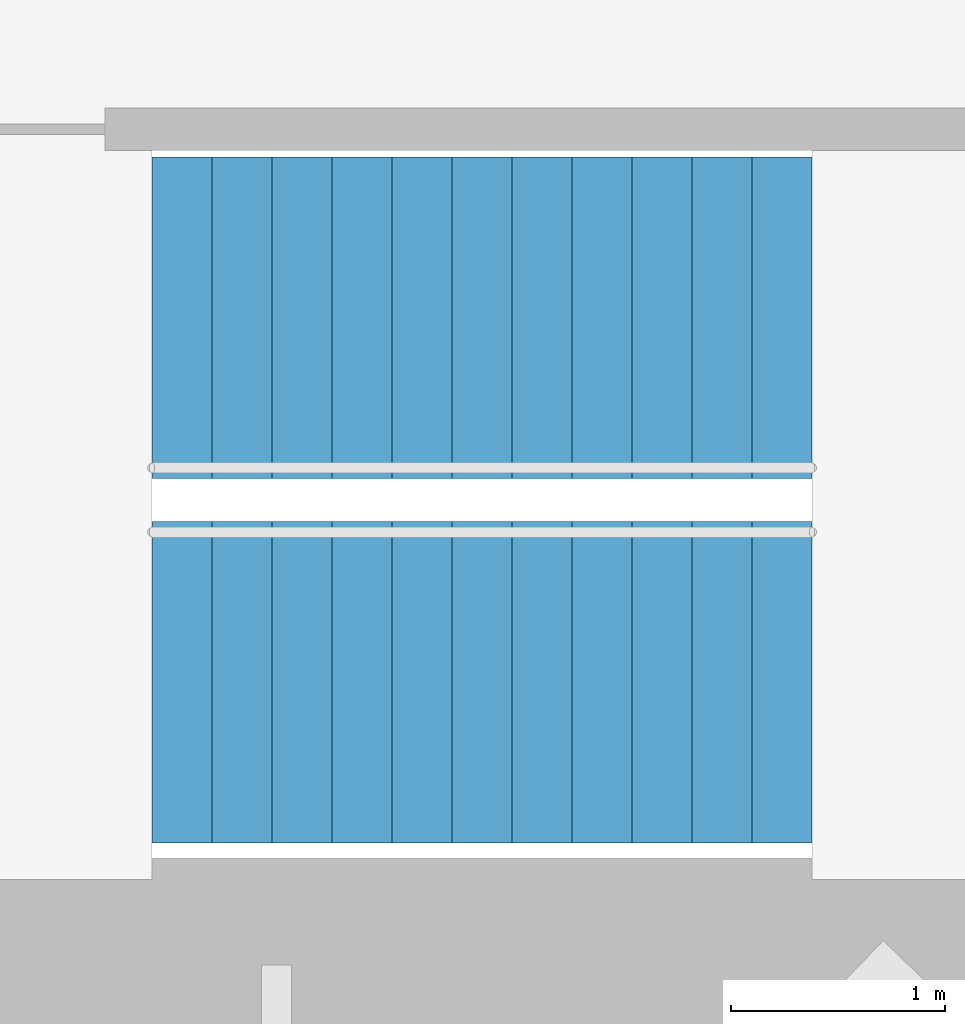
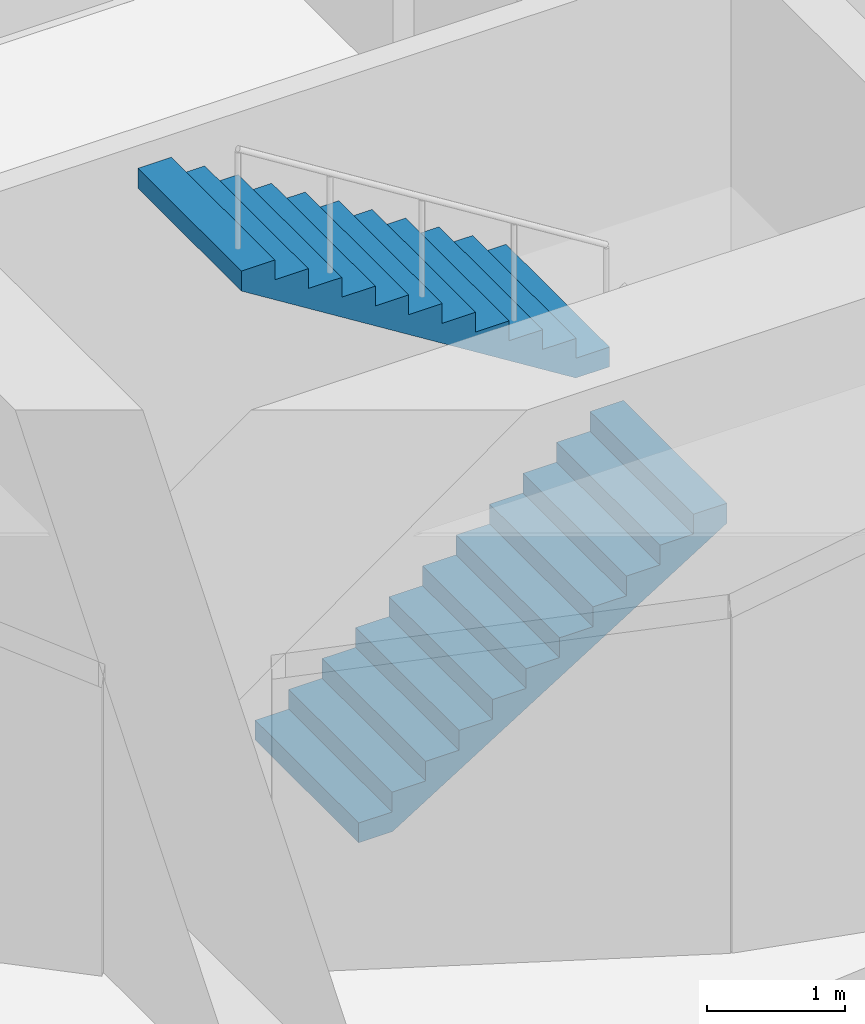
# One storey, part 15 of 17: 2 stair flights, 1 element without a shape of its own.
"""IFC4 building model written with IfcOpenShell, lengths in metres."""

from ifc_helpers import new_model, si_unit, direction, frame, origin, place, context, subcontext, project, spatial, triangles, material, type_object, element, aggregate, save


model = new_model("IFC4")

# Units and contexts
model_context = context("Model", 3, precision=1e-05, world=origin(), true_north=direction((0.0, 1.0)))
body_context = subcontext(model_context, "Body", "Model", "MODEL_VIEW")
ifc_project = project(units=[si_unit("LENGTHUNIT", "METRE"), si_unit("AREAUNIT", "SQUARE_METRE"), si_unit("VOLUMEUNIT", "CUBIC_METRE"), si_unit("PLANEANGLEUNIT", "RADIAN"), si_unit("MASSUNIT", "GRAM", prefix="KILO")], contexts=[model_context])

# Site, building, storey
site_placement = place(None, origin())
site = spatial("IfcSite", under=ifc_project, at=site_placement, CompositionType="ELEMENT")
building_placement = place(site_placement, origin())
building = spatial("IfcBuilding", under=site, at=building_placement, Name="Lantaw Convention Tower", CompositionType="ELEMENT")
storey_placement = place(building_placement, frame((0.0, 0.0, 203.199951171875)))
storey = spatial("IfcBuildingStorey", under=building, at=storey_placement, Name="L47", CompositionType="ELEMENT", Elevation=203.199951171875)

# Stair, stair flights
ifc_material = material(Name="Concrete C35/45", Category="concrete")
stair_type = type_object("IfcStairType", Name="Exit stair 1500 riser 175 in 2 flights", PredefinedType="HALF_TURN_STAIR", material=ifc_material)
stair_placement = place(storey_placement, origin())
stair = element("IfcStair", 1, at=stair_placement, inside=storey, type_object=stair_type, Name="Exit stair S1 L47", PredefinedType="HALF_TURN_STAIR")
stair_flight_type = type_object("IfcStairFlightType", Name="Stair flight 1500 riser 175", PredefinedType="STRAIGHT", material=ifc_material)
stair_flight_1_placement = place(storey_placement, frame((-10.580078125, -5.97998046875, 0.0), z_axis=(0.0, 0.0, 1.0), x_axis=(1.0, 0.0, 0.0)))
stair_flight_1 = element("IfcStairFlight", 2, at=stair_flight_1_placement, type_object=stair_flight_type, Name="S1 flight 1", NumberOfRisers=12, NumberOfTreads=11, PredefinedType="STRAIGHT", RiserHeight=0.175, TreadLength=0.28, context=body_context, shape_type="Tessellation", body=[
    triangles([(0.0, 0.75, 0.0), (0.0, 0.75, 0.175), (0.28, 0.75, 0.0), (0.28, 0.75, 0.175), (0.28, 0.75, 0.35), (0.28283517651771284, 0.75, 0.0), (0.28283517651771284, 0.75, 0.35), (0.56, 0.75, 0.17322801467642948), (0.56, 0.75, 0.35), (0.56, 0.75, 0.5249999999999999), (0.8400000000000001, 0.75, 0.34822801467642944), (0.8400000000000001, 0.75, 0.5249999999999999), (0.8400000000000001, 0.75, 0.7), (1.12, 0.75, 0.5232280146764294), (1.12, 0.75, 0.7), (1.12, 0.75, 0.875), (1.4000000000000001, 0.75, 0.6982280146764295), (1.4000000000000001, 0.75, 0.875), (1.4000000000000001, 0.75, 1.0499999999999998), (1.6800000000000002, 0.75, 0.8732280146764294), (1.6800000000000002, 0.75, 1.0499999999999998), (1.6800000000000002, 0.75, 1.2249999999999999), (1.9600000000000002, 0.75, 1.0482280146764293), (1.9600000000000002, 0.75, 1.2249999999999999), (1.9600000000000002, 0.75, 1.4), (2.24, 0.75, 1.2232280146764294), (2.24, 0.75, 1.4), (2.24, 0.75, 1.575), (2.5200000000000005, 0.75, 1.3982280146764294), (2.5200000000000005, 0.75, 1.575), (2.5200000000000005, 0.75, 1.75), (2.8000000000000003, 0.75, 1.5732280146764293), (2.8000000000000003, 0.75, 1.75), (2.8000000000000003, 0.75, 1.9249999999999998), (3.08, 0.75, 1.7482280146764293), (3.08, 0.75, 1.9249999999999998), (0.0, -0.75, 0.0), (0.0, -0.75, 0.175), (0.28, -0.75, 0.0), (0.28, -0.75, 0.175), (0.28, -0.75, 0.35), (0.28283517651771284, -0.75, 0.0), (0.28283517651771284, -0.75, 0.35), (0.56, -0.75, 0.17322801467642948), (0.56, -0.75, 0.35), (0.56, -0.75, 0.5249999999999999), (0.8400000000000001, -0.75, 0.34822801467642944), (0.8400000000000001, -0.75, 0.5249999999999999), (0.8400000000000001, -0.75, 0.7), (1.12, -0.75, 0.5232280146764294), (1.12, -0.75, 0.7), (1.12, -0.75, 0.875), (1.4000000000000001, -0.75, 0.6982280146764295), (1.4000000000000001, -0.75, 0.875), (1.4000000000000001, -0.75, 1.0499999999999998), (1.6800000000000002, -0.75, 0.8732280146764294), (1.6800000000000002, -0.75, 1.0499999999999998), (1.6800000000000002, -0.75, 1.2249999999999999), (1.9600000000000002, -0.75, 1.0482280146764293), (1.9600000000000002, -0.75, 1.2249999999999999), (1.9600000000000002, -0.75, 1.4), (2.24, -0.75, 1.2232280146764294), (2.24, -0.75, 1.4), (2.24, -0.75, 1.575), (2.5200000000000005, -0.75, 1.3982280146764294), (2.5200000000000005, -0.75, 1.575), (2.5200000000000005, -0.75, 1.75), (2.8000000000000003, -0.75, 1.5732280146764293), (2.8000000000000003, -0.75, 1.75), (2.8000000000000003, -0.75, 1.9249999999999998), (3.08, -0.75, 1.7482280146764293), (3.08, -0.75, 1.9249999999999998), (0.0, 0.15000000000000002, 0.175), (0.0, 0.15000000000000002, 0.0), (0.0, 0.0, 0.175), (0.0, 0.0, 0.0), (0.0, -0.15000000000000002, 0.175), (0.0, -0.15000000000000002, 0.0), (0.28, 0.15000000000000002, 0.35), (0.28, 0.15000000000000002, 0.175), (0.28, 0.0, 0.35), (0.28, 0.0, 0.175), (0.28, -0.15000000000000002, 0.35), (0.28, -0.15000000000000002, 0.175), (0.56, 0.15000000000000002, 0.5249999999999999), (0.56, 0.15000000000000002, 0.35), (0.56, 0.0, 0.5249999999999999), (0.56, 0.0, 0.35), (0.56, -0.15000000000000002, 0.5249999999999999), (0.56, -0.15000000000000002, 0.35), (0.8400000000000001, 0.15000000000000002, 0.7), (0.8400000000000001, 0.15000000000000002, 0.5249999999999999), (0.8400000000000001, 0.0, 0.7), (0.8400000000000001, 0.0, 0.5249999999999999), (0.8400000000000001, -0.15000000000000002, 0.7), (0.8400000000000001, -0.15000000000000002, 0.5249999999999999), (1.12, 0.15000000000000002, 0.875), (1.12, 0.15000000000000002, 0.7), (1.12, 0.0, 0.875), (1.12, 0.0, 0.7), (1.12, -0.15000000000000002, 0.875), (1.12, -0.15000000000000002, 0.7), (1.4000000000000001, 0.15000000000000002, 1.0499999999999998), (1.4000000000000001, 0.15000000000000002, 0.875), (1.4000000000000001, 0.0, 1.0499999999999998), (1.4000000000000001, 0.0, 0.875), (1.4000000000000001, -0.15000000000000002, 1.0499999999999998), (1.4000000000000001, -0.15000000000000002, 0.875), (1.6800000000000002, 0.15000000000000002, 1.2249999999999999), (1.6800000000000002, 0.15000000000000002, 1.0499999999999998), (1.6800000000000002, 0.0, 1.2249999999999999), (1.6800000000000002, 0.0, 1.0499999999999998), (1.6800000000000002, -0.15000000000000002, 1.2249999999999999), (1.6800000000000002, -0.15000000000000002, 1.0499999999999998), (1.9600000000000002, 0.15000000000000002, 1.4), (1.9600000000000002, 0.15000000000000002, 1.2249999999999999), (1.9600000000000002, 0.0, 1.4), (1.9600000000000002, 0.0, 1.2249999999999999), (1.9600000000000002, -0.15000000000000002, 1.4), (1.9600000000000002, -0.15000000000000002, 1.2249999999999999), (2.24, 0.15000000000000002, 1.575), (2.24, 0.15000000000000002, 1.4), (2.24, 0.0, 1.575), (2.24, 0.0, 1.4), (2.24, -0.15000000000000002, 1.575), (2.24, -0.15000000000000002, 1.4), (2.5200000000000005, 0.15000000000000002, 1.75), (2.5200000000000005, 0.15000000000000002, 1.575), (2.5200000000000005, 0.0, 1.75), (2.5200000000000005, 0.0, 1.575), (2.5200000000000005, -0.15000000000000002, 1.75), (2.5200000000000005, -0.15000000000000002, 1.575), (2.8000000000000003, 0.15000000000000002, 1.9249999999999998), (2.8000000000000003, 0.15000000000000002, 1.75), (2.8000000000000003, 0.0, 1.9249999999999998), (2.8000000000000003, 0.0, 1.75), (2.8000000000000003, -0.15000000000000002, 1.9249999999999998), (2.8000000000000003, -0.15000000000000002, 1.75), (0.28283517651771284, 0.15000000000000002, 0.35), (0.28283517651771284, 0.0, 0.35), (0.28283517651771284, -0.15000000000000002, 0.35), (3.08, 0.15000000000000002, 1.9249999999999998), (3.08, 0.0, 1.9249999999999998), (3.08, -0.15000000000000002, 1.9249999999999998), (3.08, 0.15000000000000002, 1.7482280146764293), (3.08, 0.0, 1.7482280146764293), (3.08, -0.15000000000000002, 1.7482280146764293), (2.8000000000000003, 0.15000000000000002, 1.5732280146764293), (2.8000000000000003, 0.0, 1.5732280146764293), (2.8000000000000003, -0.15000000000000002, 1.5732280146764293), (2.5200000000000005, 0.15000000000000002, 1.3982280146764294), (2.5200000000000005, 0.0, 1.3982280146764294), (2.5200000000000005, -0.15000000000000002, 1.3982280146764294), (2.24, 0.15000000000000002, 1.2232280146764294), (2.24, 0.0, 1.2232280146764294), (2.24, -0.15000000000000002, 1.2232280146764294), (1.9600000000000002, 0.15000000000000002, 1.0482280146764293), (1.9600000000000002, 0.0, 1.0482280146764293), (1.9600000000000002, -0.15000000000000002, 1.0482280146764293), (1.6800000000000002, 0.15000000000000002, 0.8732280146764294), (1.6800000000000002, 0.0, 0.8732280146764294), (1.6800000000000002, -0.15000000000000002, 0.8732280146764294), (1.4000000000000001, 0.15000000000000002, 0.6982280146764295), (1.4000000000000001, 0.0, 0.6982280146764295), (1.4000000000000001, -0.15000000000000002, 0.6982280146764295), (1.12, 0.15000000000000002, 0.5232280146764294), (1.12, 0.0, 0.5232280146764294), (1.12, -0.15000000000000002, 0.5232280146764294), (0.8400000000000001, 0.15000000000000002, 0.34822801467642944), (0.8400000000000001, 0.0, 0.34822801467642944), (0.8400000000000001, -0.15000000000000002, 0.34822801467642944), (0.56, 0.15000000000000002, 0.17322801467642948), (0.56, 0.0, 0.17322801467642948), (0.56, -0.15000000000000002, 0.17322801467642948), (0.28283517651771284, 0.15000000000000002, 0.0), (0.28283517651771284, 0.0, 0.0), (0.28283517651771284, -0.15000000000000002, 0.0), (0.28, 0.15000000000000002, 0.0), (0.28, 0.0, 0.0), (0.28, -0.15000000000000002, 0.0)], [[1, 4, 3], [1, 2, 4], [3, 4, 6], [4, 7, 6], [4, 5, 7], [6, 9, 8], [6, 7, 9], [8, 9, 11], [9, 12, 11], [9, 10, 12], [11, 12, 14], [12, 15, 14], [12, 13, 15], [14, 15, 17], [15, 18, 17], [15, 16, 18], [17, 18, 20], [18, 21, 20], [18, 19, 21], [20, 21, 23], [21, 24, 23], [21, 22, 24], [23, 24, 26], [24, 27, 26], [24, 25, 27], [26, 27, 29], [27, 30, 29], [27, 28, 30], [29, 30, 32], [30, 33, 32], [30, 31, 33], [32, 33, 35], [33, 36, 35], [33, 34, 36], [37, 39, 40], [37, 40, 38], [39, 42, 40], [40, 42, 43], [40, 43, 41], [42, 44, 45], [42, 45, 43], [44, 47, 45], [45, 47, 48], [45, 48, 46], [47, 50, 48], [48, 50, 51], [48, 51, 49], [50, 53, 51], [51, 53, 54], [51, 54, 52], [53, 56, 54], [54, 56, 57], [54, 57, 55], [56, 59, 57], [57, 59, 60], [57, 60, 58], [59, 62, 60], [60, 62, 63], [60, 63, 61], [62, 65, 63], [63, 65, 66], [63, 66, 64], [65, 68, 66], [66, 68, 69], [66, 69, 67], [68, 71, 69], [69, 71, 72], [69, 72, 70], [1, 73, 2], [1, 74, 73], [74, 75, 73], [74, 76, 75], [76, 77, 75], [76, 78, 77], [78, 38, 77], [78, 37, 38], [4, 79, 5], [4, 80, 79], [80, 81, 79], [80, 82, 81], [82, 83, 81], [82, 84, 83], [84, 41, 83], [84, 40, 41], [9, 85, 10], [9, 86, 85], [86, 87, 85], [86, 88, 87], [88, 89, 87], [88, 90, 89], [90, 46, 89], [90, 45, 46], [12, 91, 13], [12, 92, 91], [92, 93, 91], [92, 94, 93], [94, 95, 93], [94, 96, 95], [96, 49, 95], [96, 48, 49], [15, 97, 16], [15, 98, 97], [98, 99, 97], [98, 100, 99], [100, 101, 99], [100, 102, 101], [102, 52, 101], [102, 51, 52], [18, 103, 19], [18, 104, 103], [104, 105, 103], [104, 106, 105], [106, 107, 105], [106, 108, 107], [108, 55, 107], [108, 54, 55], [21, 109, 22], [21, 110, 109], [110, 111, 109], [110, 112, 111], [112, 113, 111], [112, 114, 113], [114, 58, 113], [114, 57, 58], [24, 115, 25], [24, 116, 115], [116, 117, 115], [116, 118, 117], [118, 119, 117], [118, 120, 119], [120, 61, 119], [120, 60, 61], [27, 121, 28], [27, 122, 121], [122, 123, 121], [122, 124, 123], [124, 125, 123], [124, 126, 125], [126, 64, 125], [126, 63, 64], [30, 127, 31], [30, 128, 127], [128, 129, 127], [128, 130, 129], [130, 131, 129], [130, 132, 131], [132, 67, 131], [132, 66, 67], [33, 133, 34], [33, 134, 133], [134, 135, 133], [134, 136, 135], [136, 137, 135], [136, 138, 137], [138, 70, 137], [138, 69, 70], [2, 80, 4], [2, 73, 80], [73, 82, 80], [73, 75, 82], [75, 84, 82], [75, 77, 84], [77, 40, 84], [77, 38, 40], [5, 139, 7], [5, 79, 139], [79, 140, 139], [79, 81, 140], [81, 141, 140], [81, 83, 141], [83, 43, 141], [83, 41, 43], [7, 86, 9], [7, 139, 86], [139, 88, 86], [139, 140, 88], [140, 90, 88], [140, 141, 90], [141, 45, 90], [141, 43, 45], [10, 92, 12], [10, 85, 92], [85, 94, 92], [85, 87, 94], [87, 96, 94], [87, 89, 96], [89, 48, 96], [89, 46, 48], [13, 98, 15], [13, 91, 98], [91, 100, 98], [91, 93, 100], [93, 102, 100], [93, 95, 102], [95, 51, 102], [95, 49, 51], [16, 104, 18], [16, 97, 104], [97, 106, 104], [97, 99, 106], [99, 108, 106], [99, 101, 108], [101, 54, 108], [101, 52, 54], [19, 110, 21], [19, 103, 110], [103, 112, 110], [103, 105, 112], [105, 114, 112], [105, 107, 114], [107, 57, 114], [107, 55, 57], [22, 116, 24], [22, 109, 116], [109, 118, 116], [109, 111, 118], [111, 120, 118], [111, 113, 120], [113, 60, 120], [113, 58, 60], [25, 122, 27], [25, 115, 122], [115, 124, 122], [115, 117, 124], [117, 126, 124], [117, 119, 126], [119, 63, 126], [119, 61, 63], [28, 128, 30], [28, 121, 128], [121, 130, 128], [121, 123, 130], [123, 132, 130], [123, 125, 132], [125, 66, 132], [125, 64, 66], [31, 134, 33], [31, 127, 134], [127, 136, 134], [127, 129, 136], [129, 138, 136], [129, 131, 138], [131, 69, 138], [131, 67, 69], [34, 142, 36], [34, 133, 142], [133, 143, 142], [133, 135, 143], [135, 144, 143], [135, 137, 144], [137, 72, 144], [137, 70, 72], [36, 145, 35], [36, 142, 145], [142, 146, 145], [142, 143, 146], [143, 147, 146], [143, 144, 147], [144, 71, 147], [144, 72, 71], [35, 148, 32], [35, 145, 148], [145, 149, 148], [145, 146, 149], [146, 150, 149], [146, 147, 150], [147, 68, 150], [147, 71, 68], [32, 151, 29], [32, 148, 151], [148, 152, 151], [148, 149, 152], [149, 153, 152], [149, 150, 153], [150, 65, 153], [150, 68, 65], [29, 154, 26], [29, 151, 154], [151, 155, 154], [151, 152, 155], [152, 156, 155], [152, 153, 156], [153, 62, 156], [153, 65, 62], [26, 157, 23], [26, 154, 157], [154, 158, 157], [154, 155, 158], [155, 159, 158], [155, 156, 159], [156, 59, 159], [156, 62, 59], [23, 160, 20], [23, 157, 160], [157, 161, 160], [157, 158, 161], [158, 162, 161], [158, 159, 162], [159, 56, 162], [159, 59, 56], [20, 163, 17], [20, 160, 163], [160, 164, 163], [160, 161, 164], [161, 165, 164], [161, 162, 165], [162, 53, 165], [162, 56, 53], [17, 166, 14], [17, 163, 166], [163, 167, 166], [163, 164, 167], [164, 168, 167], [164, 165, 168], [165, 50, 168], [165, 53, 50], [14, 169, 11], [14, 166, 169], [166, 170, 169], [166, 167, 170], [167, 171, 170], [167, 168, 171], [168, 47, 171], [168, 50, 47], [11, 172, 8], [11, 169, 172], [169, 173, 172], [169, 170, 173], [170, 174, 173], [170, 171, 174], [171, 44, 174], [171, 47, 44], [8, 175, 6], [8, 172, 175], [172, 176, 175], [172, 173, 176], [173, 177, 176], [173, 174, 177], [174, 42, 177], [174, 44, 42], [6, 178, 3], [6, 175, 178], [175, 179, 178], [175, 176, 179], [176, 180, 179], [176, 177, 180], [177, 39, 180], [177, 42, 39], [3, 74, 1], [3, 178, 74], [178, 76, 74], [178, 179, 76], [179, 78, 76], [179, 180, 78], [180, 37, 78], [180, 39, 37]], closed=True),
])
stair_flight_2_placement = place(storey_placement, frame((-7.5, -4.280029296875, 2.10009765625), z_axis=(0.0, 0.0, 1.0), x_axis=(-1.0, 0.0, 0.0)))
stair_flight_2 = element("IfcStairFlight", 3, at=stair_flight_2_placement, type_object=stair_flight_type, Name="S1 flight 2", NumberOfRisers=12, NumberOfTreads=11, PredefinedType="STRAIGHT", RiserHeight=0.175, TreadLength=0.28, context=body_context, shape_type="Tessellation", body=[
    triangles([(0.0, 0.75, 0.0), (0.0, 0.75, 0.175), (0.28, 0.75, 0.0), (0.28, 0.75, 0.175), (0.28, 0.75, 0.35), (0.28283517651771284, 0.75, 0.0), (0.28283517651771284, 0.75, 0.35), (0.56, 0.75, 0.17322801467642948), (0.56, 0.75, 0.35), (0.56, 0.75, 0.5249999999999999), (0.8400000000000001, 0.75, 0.34822801467642944), (0.8400000000000001, 0.75, 0.5249999999999999), (0.8400000000000001, 0.75, 0.7), (1.12, 0.75, 0.5232280146764294), (1.12, 0.75, 0.7), (1.12, 0.75, 0.875), (1.4000000000000001, 0.75, 0.6982280146764295), (1.4000000000000001, 0.75, 0.875), (1.4000000000000001, 0.75, 1.0499999999999998), (1.6800000000000002, 0.75, 0.8732280146764294), (1.6800000000000002, 0.75, 1.0499999999999998), (1.6800000000000002, 0.75, 1.2249999999999999), (1.9600000000000002, 0.75, 1.0482280146764293), (1.9600000000000002, 0.75, 1.2249999999999999), (1.9600000000000002, 0.75, 1.4), (2.24, 0.75, 1.2232280146764294), (2.24, 0.75, 1.4), (2.24, 0.75, 1.575), (2.5200000000000005, 0.75, 1.3982280146764294), (2.5200000000000005, 0.75, 1.575), (2.5200000000000005, 0.75, 1.75), (2.8000000000000003, 0.75, 1.5732280146764293), (2.8000000000000003, 0.75, 1.75), (2.8000000000000003, 0.75, 1.9249999999999998), (3.08, 0.75, 1.7482280146764293), (3.08, 0.75, 1.9249999999999998), (0.0, -0.75, 0.0), (0.0, -0.75, 0.175), (0.28, -0.75, 0.0), (0.28, -0.75, 0.175), (0.28, -0.75, 0.35), (0.28283517651771284, -0.75, 0.0), (0.28283517651771284, -0.75, 0.35), (0.56, -0.75, 0.17322801467642948), (0.56, -0.75, 0.35), (0.56, -0.75, 0.5249999999999999), (0.8400000000000001, -0.75, 0.34822801467642944), (0.8400000000000001, -0.75, 0.5249999999999999), (0.8400000000000001, -0.75, 0.7), (1.12, -0.75, 0.5232280146764294), (1.12, -0.75, 0.7), (1.12, -0.75, 0.875), (1.4000000000000001, -0.75, 0.6982280146764295), (1.4000000000000001, -0.75, 0.875), (1.4000000000000001, -0.75, 1.0499999999999998), (1.6800000000000002, -0.75, 0.8732280146764294), (1.6800000000000002, -0.75, 1.0499999999999998), (1.6800000000000002, -0.75, 1.2249999999999999), (1.9600000000000002, -0.75, 1.0482280146764293), (1.9600000000000002, -0.75, 1.2249999999999999), (1.9600000000000002, -0.75, 1.4), (2.24, -0.75, 1.2232280146764294), (2.24, -0.75, 1.4), (2.24, -0.75, 1.575), (2.5200000000000005, -0.75, 1.3982280146764294), (2.5200000000000005, -0.75, 1.575), (2.5200000000000005, -0.75, 1.75), (2.8000000000000003, -0.75, 1.5732280146764293), (2.8000000000000003, -0.75, 1.75), (2.8000000000000003, -0.75, 1.9249999999999998), (3.08, -0.75, 1.7482280146764293), (3.08, -0.75, 1.9249999999999998), (0.0, 0.15000000000000002, 0.175), (0.0, 0.15000000000000002, 0.0), (0.0, 0.0, 0.175), (0.0, 0.0, 0.0), (0.0, -0.15000000000000002, 0.175), (0.0, -0.15000000000000002, 0.0), (0.28, 0.15000000000000002, 0.35), (0.28, 0.15000000000000002, 0.175), (0.28, 0.0, 0.35), (0.28, 0.0, 0.175), (0.28, -0.15000000000000002, 0.35), (0.28, -0.15000000000000002, 0.175), (0.56, 0.15000000000000002, 0.5249999999999999), (0.56, 0.15000000000000002, 0.35), (0.56, 0.0, 0.5249999999999999), (0.56, 0.0, 0.35), (0.56, -0.15000000000000002, 0.5249999999999999), (0.56, -0.15000000000000002, 0.35), (0.8400000000000001, 0.15000000000000002, 0.7), (0.8400000000000001, 0.15000000000000002, 0.5249999999999999), (0.8400000000000001, 0.0, 0.7), (0.8400000000000001, 0.0, 0.5249999999999999), (0.8400000000000001, -0.15000000000000002, 0.7), (0.8400000000000001, -0.15000000000000002, 0.5249999999999999), (1.12, 0.15000000000000002, 0.875), (1.12, 0.15000000000000002, 0.7), (1.12, 0.0, 0.875), (1.12, 0.0, 0.7), (1.12, -0.15000000000000002, 0.875), (1.12, -0.15000000000000002, 0.7), (1.4000000000000001, 0.15000000000000002, 1.0499999999999998), (1.4000000000000001, 0.15000000000000002, 0.875), (1.4000000000000001, 0.0, 1.0499999999999998), (1.4000000000000001, 0.0, 0.875), (1.4000000000000001, -0.15000000000000002, 1.0499999999999998), (1.4000000000000001, -0.15000000000000002, 0.875), (1.6800000000000002, 0.15000000000000002, 1.2249999999999999), (1.6800000000000002, 0.15000000000000002, 1.0499999999999998), (1.6800000000000002, 0.0, 1.2249999999999999), (1.6800000000000002, 0.0, 1.0499999999999998), (1.6800000000000002, -0.15000000000000002, 1.2249999999999999), (1.6800000000000002, -0.15000000000000002, 1.0499999999999998), (1.9600000000000002, 0.15000000000000002, 1.4), (1.9600000000000002, 0.15000000000000002, 1.2249999999999999), (1.9600000000000002, 0.0, 1.4), (1.9600000000000002, 0.0, 1.2249999999999999), (1.9600000000000002, -0.15000000000000002, 1.4), (1.9600000000000002, -0.15000000000000002, 1.2249999999999999), (2.24, 0.15000000000000002, 1.575), (2.24, 0.15000000000000002, 1.4), (2.24, 0.0, 1.575), (2.24, 0.0, 1.4), (2.24, -0.15000000000000002, 1.575), (2.24, -0.15000000000000002, 1.4), (2.5200000000000005, 0.15000000000000002, 1.75), (2.5200000000000005, 0.15000000000000002, 1.575), (2.5200000000000005, 0.0, 1.75), (2.5200000000000005, 0.0, 1.575), (2.5200000000000005, -0.15000000000000002, 1.75), (2.5200000000000005, -0.15000000000000002, 1.575), (2.8000000000000003, 0.15000000000000002, 1.9249999999999998), (2.8000000000000003, 0.15000000000000002, 1.75), (2.8000000000000003, 0.0, 1.9249999999999998), (2.8000000000000003, 0.0, 1.75), (2.8000000000000003, -0.15000000000000002, 1.9249999999999998), (2.8000000000000003, -0.15000000000000002, 1.75), (0.28283517651771284, 0.15000000000000002, 0.35), (0.28283517651771284, 0.0, 0.35), (0.28283517651771284, -0.15000000000000002, 0.35), (3.08, 0.15000000000000002, 1.9249999999999998), (3.08, 0.0, 1.9249999999999998), (3.08, -0.15000000000000002, 1.9249999999999998), (3.08, 0.15000000000000002, 1.7482280146764293), (3.08, 0.0, 1.7482280146764293), (3.08, -0.15000000000000002, 1.7482280146764293), (2.8000000000000003, 0.15000000000000002, 1.5732280146764293), (2.8000000000000003, 0.0, 1.5732280146764293), (2.8000000000000003, -0.15000000000000002, 1.5732280146764293), (2.5200000000000005, 0.15000000000000002, 1.3982280146764294), (2.5200000000000005, 0.0, 1.3982280146764294), (2.5200000000000005, -0.15000000000000002, 1.3982280146764294), (2.24, 0.15000000000000002, 1.2232280146764294), (2.24, 0.0, 1.2232280146764294), (2.24, -0.15000000000000002, 1.2232280146764294), (1.9600000000000002, 0.15000000000000002, 1.0482280146764293), (1.9600000000000002, 0.0, 1.0482280146764293), (1.9600000000000002, -0.15000000000000002, 1.0482280146764293), (1.6800000000000002, 0.15000000000000002, 0.8732280146764294), (1.6800000000000002, 0.0, 0.8732280146764294), (1.6800000000000002, -0.15000000000000002, 0.8732280146764294), (1.4000000000000001, 0.15000000000000002, 0.6982280146764295), (1.4000000000000001, 0.0, 0.6982280146764295), (1.4000000000000001, -0.15000000000000002, 0.6982280146764295), (1.12, 0.15000000000000002, 0.5232280146764294), (1.12, 0.0, 0.5232280146764294), (1.12, -0.15000000000000002, 0.5232280146764294), (0.8400000000000001, 0.15000000000000002, 0.34822801467642944), (0.8400000000000001, 0.0, 0.34822801467642944), (0.8400000000000001, -0.15000000000000002, 0.34822801467642944), (0.56, 0.15000000000000002, 0.17322801467642948), (0.56, 0.0, 0.17322801467642948), (0.56, -0.15000000000000002, 0.17322801467642948), (0.28283517651771284, 0.15000000000000002, 0.0), (0.28283517651771284, 0.0, 0.0), (0.28283517651771284, -0.15000000000000002, 0.0), (0.28, 0.15000000000000002, 0.0), (0.28, 0.0, 0.0), (0.28, -0.15000000000000002, 0.0)], [[1, 4, 3], [1, 2, 4], [3, 4, 6], [4, 7, 6], [4, 5, 7], [6, 9, 8], [6, 7, 9], [8, 9, 11], [9, 12, 11], [9, 10, 12], [11, 12, 14], [12, 15, 14], [12, 13, 15], [14, 15, 17], [15, 18, 17], [15, 16, 18], [17, 18, 20], [18, 21, 20], [18, 19, 21], [20, 21, 23], [21, 24, 23], [21, 22, 24], [23, 24, 26], [24, 27, 26], [24, 25, 27], [26, 27, 29], [27, 30, 29], [27, 28, 30], [29, 30, 32], [30, 33, 32], [30, 31, 33], [32, 33, 35], [33, 36, 35], [33, 34, 36], [37, 39, 40], [37, 40, 38], [39, 42, 40], [40, 42, 43], [40, 43, 41], [42, 44, 45], [42, 45, 43], [44, 47, 45], [45, 47, 48], [45, 48, 46], [47, 50, 48], [48, 50, 51], [48, 51, 49], [50, 53, 51], [51, 53, 54], [51, 54, 52], [53, 56, 54], [54, 56, 57], [54, 57, 55], [56, 59, 57], [57, 59, 60], [57, 60, 58], [59, 62, 60], [60, 62, 63], [60, 63, 61], [62, 65, 63], [63, 65, 66], [63, 66, 64], [65, 68, 66], [66, 68, 69], [66, 69, 67], [68, 71, 69], [69, 71, 72], [69, 72, 70], [1, 73, 2], [1, 74, 73], [74, 75, 73], [74, 76, 75], [76, 77, 75], [76, 78, 77], [78, 38, 77], [78, 37, 38], [4, 79, 5], [4, 80, 79], [80, 81, 79], [80, 82, 81], [82, 83, 81], [82, 84, 83], [84, 41, 83], [84, 40, 41], [9, 85, 10], [9, 86, 85], [86, 87, 85], [86, 88, 87], [88, 89, 87], [88, 90, 89], [90, 46, 89], [90, 45, 46], [12, 91, 13], [12, 92, 91], [92, 93, 91], [92, 94, 93], [94, 95, 93], [94, 96, 95], [96, 49, 95], [96, 48, 49], [15, 97, 16], [15, 98, 97], [98, 99, 97], [98, 100, 99], [100, 101, 99], [100, 102, 101], [102, 52, 101], [102, 51, 52], [18, 103, 19], [18, 104, 103], [104, 105, 103], [104, 106, 105], [106, 107, 105], [106, 108, 107], [108, 55, 107], [108, 54, 55], [21, 109, 22], [21, 110, 109], [110, 111, 109], [110, 112, 111], [112, 113, 111], [112, 114, 113], [114, 58, 113], [114, 57, 58], [24, 115, 25], [24, 116, 115], [116, 117, 115], [116, 118, 117], [118, 119, 117], [118, 120, 119], [120, 61, 119], [120, 60, 61], [27, 121, 28], [27, 122, 121], [122, 123, 121], [122, 124, 123], [124, 125, 123], [124, 126, 125], [126, 64, 125], [126, 63, 64], [30, 127, 31], [30, 128, 127], [128, 129, 127], [128, 130, 129], [130, 131, 129], [130, 132, 131], [132, 67, 131], [132, 66, 67], [33, 133, 34], [33, 134, 133], [134, 135, 133], [134, 136, 135], [136, 137, 135], [136, 138, 137], [138, 70, 137], [138, 69, 70], [2, 80, 4], [2, 73, 80], [73, 82, 80], [73, 75, 82], [75, 84, 82], [75, 77, 84], [77, 40, 84], [77, 38, 40], [5, 139, 7], [5, 79, 139], [79, 140, 139], [79, 81, 140], [81, 141, 140], [81, 83, 141], [83, 43, 141], [83, 41, 43], [7, 86, 9], [7, 139, 86], [139, 88, 86], [139, 140, 88], [140, 90, 88], [140, 141, 90], [141, 45, 90], [141, 43, 45], [10, 92, 12], [10, 85, 92], [85, 94, 92], [85, 87, 94], [87, 96, 94], [87, 89, 96], [89, 48, 96], [89, 46, 48], [13, 98, 15], [13, 91, 98], [91, 100, 98], [91, 93, 100], [93, 102, 100], [93, 95, 102], [95, 51, 102], [95, 49, 51], [16, 104, 18], [16, 97, 104], [97, 106, 104], [97, 99, 106], [99, 108, 106], [99, 101, 108], [101, 54, 108], [101, 52, 54], [19, 110, 21], [19, 103, 110], [103, 112, 110], [103, 105, 112], [105, 114, 112], [105, 107, 114], [107, 57, 114], [107, 55, 57], [22, 116, 24], [22, 109, 116], [109, 118, 116], [109, 111, 118], [111, 120, 118], [111, 113, 120], [113, 60, 120], [113, 58, 60], [25, 122, 27], [25, 115, 122], [115, 124, 122], [115, 117, 124], [117, 126, 124], [117, 119, 126], [119, 63, 126], [119, 61, 63], [28, 128, 30], [28, 121, 128], [121, 130, 128], [121, 123, 130], [123, 132, 130], [123, 125, 132], [125, 66, 132], [125, 64, 66], [31, 134, 33], [31, 127, 134], [127, 136, 134], [127, 129, 136], [129, 138, 136], [129, 131, 138], [131, 69, 138], [131, 67, 69], [34, 142, 36], [34, 133, 142], [133, 143, 142], [133, 135, 143], [135, 144, 143], [135, 137, 144], [137, 72, 144], [137, 70, 72], [36, 145, 35], [36, 142, 145], [142, 146, 145], [142, 143, 146], [143, 147, 146], [143, 144, 147], [144, 71, 147], [144, 72, 71], [35, 148, 32], [35, 145, 148], [145, 149, 148], [145, 146, 149], [146, 150, 149], [146, 147, 150], [147, 68, 150], [147, 71, 68], [32, 151, 29], [32, 148, 151], [148, 152, 151], [148, 149, 152], [149, 153, 152], [149, 150, 153], [150, 65, 153], [150, 68, 65], [29, 154, 26], [29, 151, 154], [151, 155, 154], [151, 152, 155], [152, 156, 155], [152, 153, 156], [153, 62, 156], [153, 65, 62], [26, 157, 23], [26, 154, 157], [154, 158, 157], [154, 155, 158], [155, 159, 158], [155, 156, 159], [156, 59, 159], [156, 62, 59], [23, 160, 20], [23, 157, 160], [157, 161, 160], [157, 158, 161], [158, 162, 161], [158, 159, 162], [159, 56, 162], [159, 59, 56], [20, 163, 17], [20, 160, 163], [160, 164, 163], [160, 161, 164], [161, 165, 164], [161, 162, 165], [162, 53, 165], [162, 56, 53], [17, 166, 14], [17, 163, 166], [163, 167, 166], [163, 164, 167], [164, 168, 167], [164, 165, 168], [165, 50, 168], [165, 53, 50], [14, 169, 11], [14, 166, 169], [166, 170, 169], [166, 167, 170], [167, 171, 170], [167, 168, 171], [168, 47, 171], [168, 50, 47], [11, 172, 8], [11, 169, 172], [169, 173, 172], [169, 170, 173], [170, 174, 173], [170, 171, 174], [171, 44, 174], [171, 47, 44], [8, 175, 6], [8, 172, 175], [172, 176, 175], [172, 173, 176], [173, 177, 176], [173, 174, 177], [174, 42, 177], [174, 44, 42], [6, 178, 3], [6, 175, 178], [175, 179, 178], [175, 176, 179], [176, 180, 179], [176, 177, 180], [177, 39, 180], [177, 42, 39], [3, 74, 1], [3, 178, 74], [178, 76, 74], [178, 179, 76], [179, 78, 76], [179, 180, 78], [180, 37, 78], [180, 39, 37]], closed=True),
])
aggregate(stair, [stair_flight_1, stair_flight_2])

save(model, "model.ifc")
